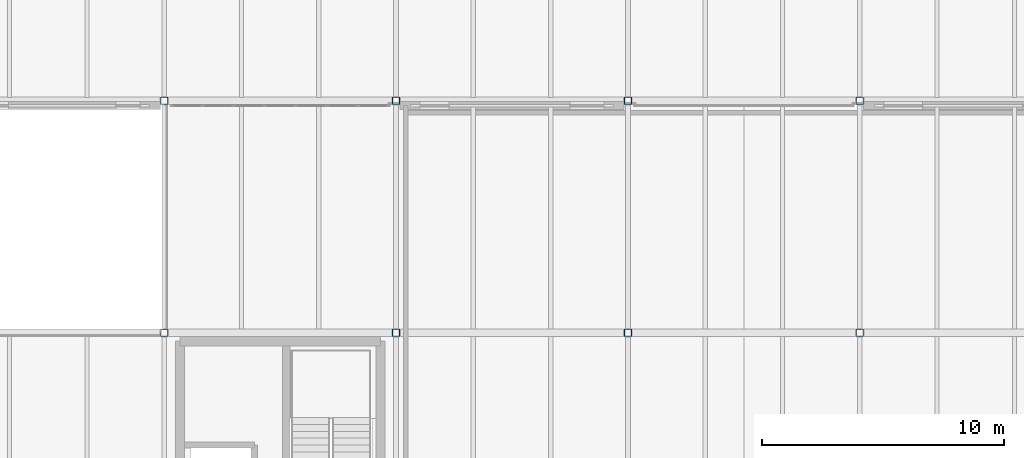
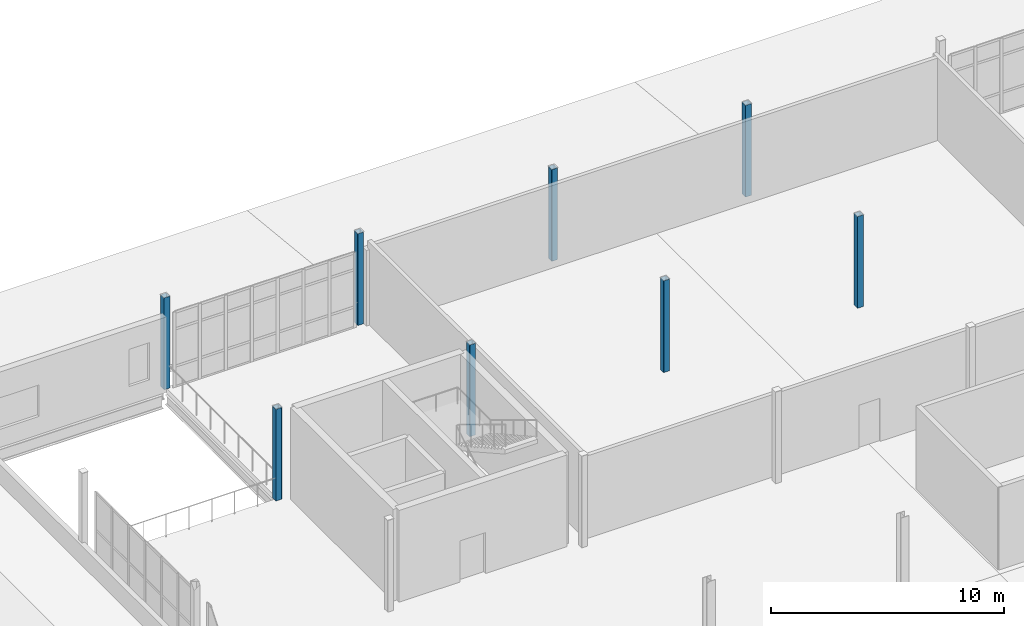
# One storey, part 11 of 112: 8 columns.
"""IFC4 building model written with IfcOpenShell, lengths in metres."""

from ifc_helpers import new_model, si_unit, direction, frame, origin, origin_2d, place, context, subcontext, project, spatial, hollow_rectangle, extrude, material, material_profile, profile_set, type_object, element, save


model = new_model("IFC4")

# Units and contexts
model_context = context("Model", 3, precision=1e-05, world=origin(), true_north=direction((0.0, 1.0)))
body_context = subcontext(model_context, "Body", "Model", "MODEL_VIEW")
ifc_project = project(units=[si_unit("LENGTHUNIT", "METRE"), si_unit("AREAUNIT", "SQUARE_METRE"), si_unit("VOLUMEUNIT", "CUBIC_METRE"), si_unit("PLANEANGLEUNIT", "RADIAN"), si_unit("MASSUNIT", "GRAM", prefix="KILO")], contexts=[model_context])

# Site, building, storey
site_placement = place(None, origin())
site = spatial("IfcSite", under=ifc_project, at=site_placement, CompositionType="ELEMENT")
building_placement = place(site_placement, origin())
building = spatial("IfcBuilding", under=site, at=building_placement, Name="Yeouljin Market Hall", CompositionType="ELEMENT")
storey_placement = place(building_placement, frame((0.0, 0.0, 6.0)))
storey = spatial("IfcBuildingStorey", under=building, at=storey_placement, Name="L01", CompositionType="ELEMENT", Elevation=6.0)

# Columns
ifc_material = material(Name="Steel SM355", Category="steel")
ifc_material_profile = material_profile(ifc_material, hollow_rectangle(XDim=0.300048828125, YDim=0.300048828125, WallThickness=0.010009765625, InnerFilletRadius=0.010009765625, OuterFilletRadius=0.01611328125, at=origin_2d()), Name="SHS-300x300x10")
ifc_profile_set = profile_set([ifc_material_profile], Name="Steel SM355")
column_type = type_object("IfcColumnType", Name="Col_SHS-300x300x10", PredefinedType="COLUMN", material=ifc_profile_set)
for number, where, z_axis, x_axis, name in (
    (1, (64.199951171875, 98.39990234375, 0.0), (0.0, 0.0, 1.0), (1.0, 0.0, 0.0), "Column G-08-10 (L01)"),
    (2, (64.199951171875, 108.0, 0.0), (0.0, 0.0, 1.0), (1.0, 0.0, 0.0), "Column G-08-11 (L01)"),
    (3, (73.800048828125, 98.39990234375, 0.0), (0.0, 0.0, 1.0), (1.0, 0.0, 0.0), "Column G-09-10 (L01)"),
    (4, (73.800048828125, 108.0, 0.0), (0.0, 0.0, 1.0), (1.0, 0.0, 0.0), "Column G-09-11 (L01)"),
    (5, (83.39990234375, 98.39990234375, 0.0), (0.0, 0.0, 1.0), (1.0, 0.0, 0.0), "Column G-10-10 (L01)"),
    (6, (83.39990234375, 108.0, 0.0), (0.0, 0.0, 1.0), (1.0, 0.0, 0.0), "Column G-10-11 (L01)"),
    (7, (93.0, 98.39990234375, 0.0), (0.0, 0.0, 1.0), (1.0, 0.0, 0.0), "Column G-11-10 (L01)"),
    (8, (93.0, 108.0, 0.0), (0.0, 0.0, 1.0), (1.0, 0.0, 0.0), "Column G-11-11 (L01)"),
):
    element("IfcColumn", number, at=place(storey_placement, frame(where, z_axis=z_axis, x_axis=x_axis)), inside=storey, type_object=column_type, Name=name, PredefinedType="COLUMN", context=body_context, shape_type="SweptSolid", body=[
        extrude(hollow_rectangle(XDim=0.300048828125, YDim=0.300048828125, WallThickness=0.010009765625, InnerFilletRadius=0.010009765625, OuterFilletRadius=0.01611328125, at=origin_2d()), origin(), (0.0, 0.0, 1.0), 4.800048828125),
    ])

save(model, "model.ifc")
